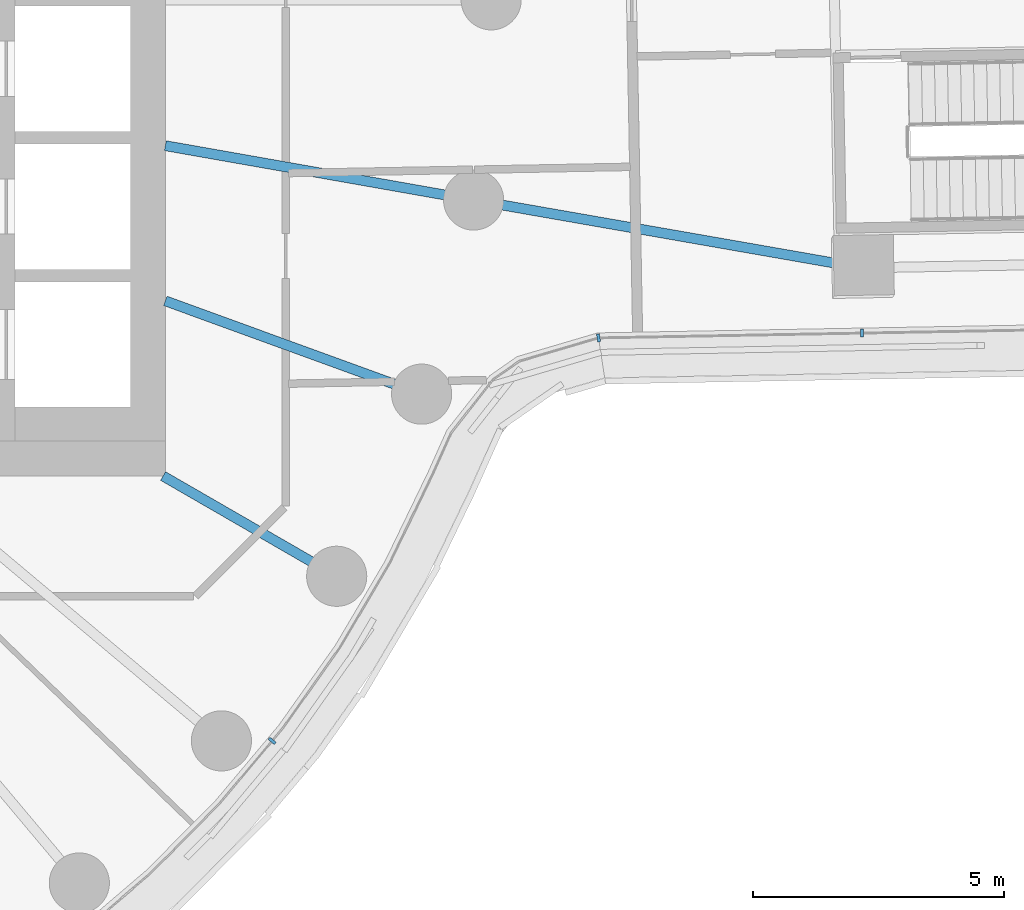
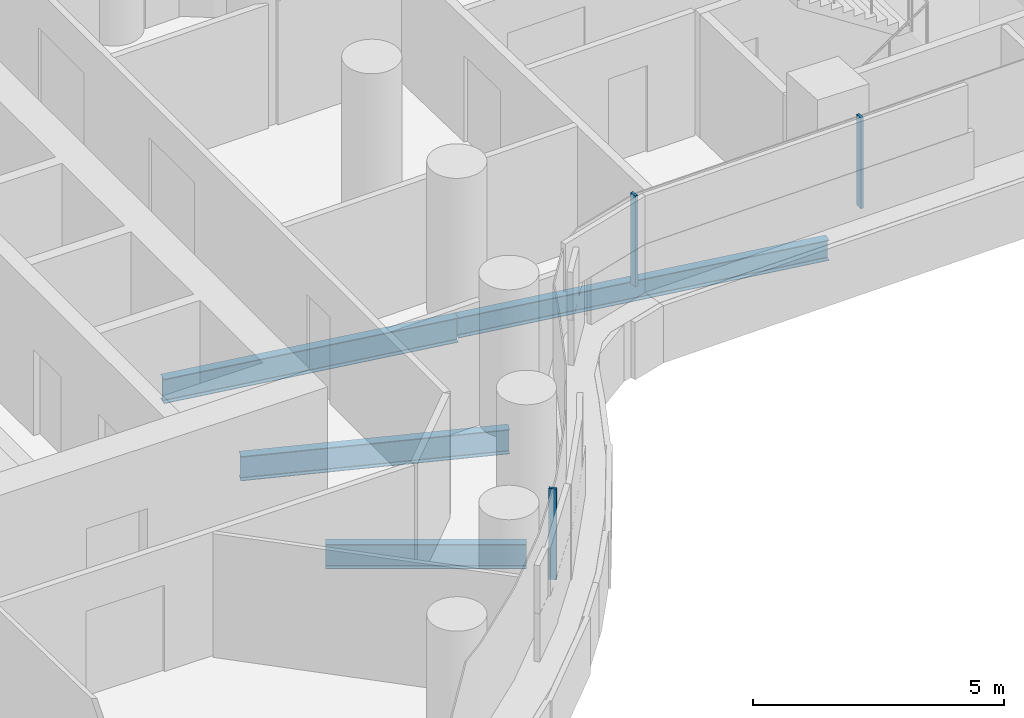
# One storey, part 9 of 31: 4 beams, 3 members, 2 elements without a shape of their own.
"""IFC4 building model written with IfcOpenShell, lengths in metres."""

from ifc_helpers import new_model, si_unit, direction, frame, origin, origin_2d, place, context, subcontext, project, spatial, rectangle, i_section, extrude, material, layer, layer_set, material_profile, profile_set, type_object, element, aggregate, save


model = new_model("IFC4")

# Units and contexts
model_context = context("Model", 3, precision=1e-05, world=origin(), true_north=direction((0.0, 1.0)))
body_context = subcontext(model_context, "Body", "Model", "MODEL_VIEW")
ifc_project = project(units=[si_unit("LENGTHUNIT", "METRE"), si_unit("AREAUNIT", "SQUARE_METRE"), si_unit("VOLUMEUNIT", "CUBIC_METRE"), si_unit("PLANEANGLEUNIT", "RADIAN"), si_unit("MASSUNIT", "GRAM", prefix="KILO")], contexts=[model_context])

# Site, building, storey
site_placement = place(None, origin())
site = spatial("IfcSite", under=ifc_project, at=site_placement, CompositionType="ELEMENT")
building_placement = place(site_placement, origin())
building = spatial("IfcBuilding", under=site, at=building_placement, Name="Tamarind Cross Interchange Tower", CompositionType="ELEMENT")
storey_placement = place(building_placement, frame((0.0, 0.0, 37.75)))
storey = spatial("IfcBuildingStorey", under=building, at=storey_placement, Name="L07", CompositionType="ELEMENT", Elevation=37.75)

# Beams
ifc_material_1 = material(Name="Steel Q355B", Category="steel")
ifc_material_profile_1 = material_profile(ifc_material_1, i_section(OverallWidth=0.198974609375, OverallDepth=0.49609375, WebThickness=0.009033203125, FlangeThickness=0.013916015625, FilletRadius=0.012939453125, at=origin_2d()), Name="HN 496x199x9x14")
ifc_profile_set_1 = profile_set([ifc_material_profile_1], Name="Steel Q355B")
beam_type_1 = type_object("IfcBeamType", Name="Composite beam HN 496x199x9x14 Q355B", PredefinedType="BEAM", material=ifc_profile_set_1)
beam_1_placement = place(storey_placement, frame((30.39892578125, -5.34765625, -0.387939453125), z_axis=(-0.98507773174, 0.172110030012, 0.0), x_axis=(-0.172110030012, -0.98507773174, 0.0)))
element("IfcBeam", 1, at=beam_1_placement, inside=storey, type_object=beam_type_1, Name="Beam E-linkem", PredefinedType="BEAM", context=body_context, shape_type="SweptSolid", body=[
    extrude(i_section(OverallWidth=0.198974609375, OverallDepth=0.49609375, WebThickness=0.009033203125, FlangeThickness=0.013916015625, FilletRadius=0.012939453125, at=origin_2d()), origin(), (0.0, 0.0, 1.0), 7.86572265625),
])
ifc_material_profile_2 = material_profile(ifc_material_1, i_section(OverallWidth=0.198974609375, OverallDepth=0.595947265625, WebThickness=0.010009765625, FlangeThickness=0.014892578125, FilletRadius=0.012939453125, at=origin_2d()), Name="HN 596x199x10x15")
ifc_profile_set_2 = profile_set([ifc_material_profile_2], Name="Steel Q355B")
beam_type_2 = type_object("IfcBeamType", Name="Composite beam HN 596x199x10x15 Q355B", PredefinedType="BEAM", material=ifc_profile_set_2)
beam_2_placement = place(storey_placement, frame((19.918701171875, -11.5, -0.43798828125), z_axis=(-0.866026010844, 0.49999894854, 0.0), x_axis=(-0.49999894854, -0.866026010844, 0.0)))
element("IfcBeam", 2, at=beam_2_placement, inside=storey, type_object=beam_type_2, Name="Beam HH33", PredefinedType="BEAM", context=body_context, shape_type="SweptSolid", body=[
    extrude(i_section(OverallWidth=0.198974609375, OverallDepth=0.595947265625, WebThickness=0.010009765625, FlangeThickness=0.014892578125, FilletRadius=0.012939453125, at=origin_2d()), origin(), (0.0, 0.0, 1.0), 4.0),
])
beam_3_placement = place(storey_placement, frame((21.613037109375, -7.866455078125, -0.43798828125), z_axis=(-0.939701685589, 0.341995236956, 0.0), x_axis=(-0.341995236956, -0.939701685589, 0.0)))
element("IfcBeam", 3, at=beam_3_placement, inside=storey, type_object=beam_type_2, Name="Beam HH34", PredefinedType="BEAM", context=body_context, shape_type="SweptSolid", body=[
    extrude(i_section(OverallWidth=0.198974609375, OverallDepth=0.595947265625, WebThickness=0.010009765625, FlangeThickness=0.014892578125, FilletRadius=0.012939453125, at=origin_2d()), origin(), (0.0, 0.0, 1.0), 5.441162109375),
])
beam_4_placement = place(storey_placement, frame((22.650634765625, -3.993896484375, -0.43798828125), z_axis=(-0.984809127561, 0.173640382036, 0.0), x_axis=(-0.173640382036, -0.984809127561, 0.0)))
element("IfcBeam", 4, at=beam_4_placement, inside=storey, type_object=beam_type_2, Name="Beam HH35", PredefinedType="BEAM", context=body_context, shape_type="SweptSolid", body=[
    extrude(i_section(OverallWidth=0.198974609375, OverallDepth=0.595947265625, WebThickness=0.010009765625, FlangeThickness=0.014892578125, FilletRadius=0.012939453125, at=origin_2d()), origin(), (0.0, 0.0, 1.0), 6.24560546875),
])

# Curtain wall, member
ifc_material_2 = material(Name="Aluminium 6063-T6", Category="aluminium")
ifc_layer = layer(ifc_material_2, 0.159912109375)
ifc_layer_set = layer_set([ifc_layer], Name="Aluminium 6063-T6")
curtain_wall_type = type_object("IfcCurtainWallType", Name="Office curtain wall, 9.0 m bays", PredefinedType="NOTDEFINED", material=ifc_layer_set)
curtain_wall_1_placement = place(storey_placement, origin())
curtain_wall_1 = element("IfcCurtainWall", 5, at=curtain_wall_1_placement, inside=storey, type_object=curtain_wall_type, Name="CWS-L07-10", PredefinedType="NOTDEFINED")
ifc_material_profile_3 = material_profile(ifc_material_2, rectangle(XDim=0.06005859375, YDim=0.159912109375, at=origin_2d()), Name="Mullion CW1")
ifc_profile_set_3 = profile_set([ifc_material_profile_3], Name="Aluminium 6063-T6")
member_type = type_object("IfcMemberType", Name="Mullion CW1", PredefinedType="MULLION", material=ifc_profile_set_3)
member_1_placement = place(storey_placement, frame((18.631103515625, -14.784423828125, 1.39990234375), z_axis=(0.0, 0.0, 1.0), x_axis=(0.643009266048, 0.765858396687, 0.0)))
member_1 = element("IfcMember", 6, at=member_1_placement, type_object=member_type, Name="CWM-L07-10-02", PredefinedType="MULLION", context=body_context, shape_type="SweptSolid", body=[
    extrude(rectangle(XDim=0.06005859375, YDim=0.159912109375, at=origin_2d()), origin(), (0.0, 0.0, 1.0), 2.210205078125),
])
aggregate(curtain_wall_1, [member_1])

# Curtain wall, members
curtain_wall_2_placement = place(storey_placement, origin())
curtain_wall_2 = element("IfcCurtainWall", 7, at=curtain_wall_2_placement, inside=storey, type_object=curtain_wall_type, Name="CWS-L07-11", PredefinedType="NOTDEFINED")
member_2_placement = place(storey_placement, frame((25.142333984375, -6.743896484375, 1.39990234375), z_axis=(0.0, 0.0, 1.0), x_axis=(0.988428214612, 0.151689368643, 0.0)))
member_2 = element("IfcMember", 8, at=member_2_placement, type_object=member_type, Name="CWM-L07-11-00", PredefinedType="MULLION", context=body_context, shape_type="SweptSolid", body=[
    extrude(rectangle(XDim=0.06005859375, YDim=0.159912109375, at=origin_2d()), origin(), (0.0, 0.0, 1.0), 2.210205078125),
])
member_3_placement = place(storey_placement, frame((30.395751953125, -6.64794921875, 1.39990234375), z_axis=(0.0, 0.0, 1.0), x_axis=(0.999833743347, 0.018234189439, 0.0)))
member_3 = element("IfcMember", 9, at=member_3_placement, type_object=member_type, Name="CWM-L07-11-01", PredefinedType="MULLION", context=body_context, shape_type="SweptSolid", body=[
    extrude(rectangle(XDim=0.06005859375, YDim=0.159912109375, at=origin_2d()), origin(), (0.0, 0.0, 1.0), 2.210205078125),
])
aggregate(curtain_wall_2, [member_2, member_3])

save(model, "model.ifc")
